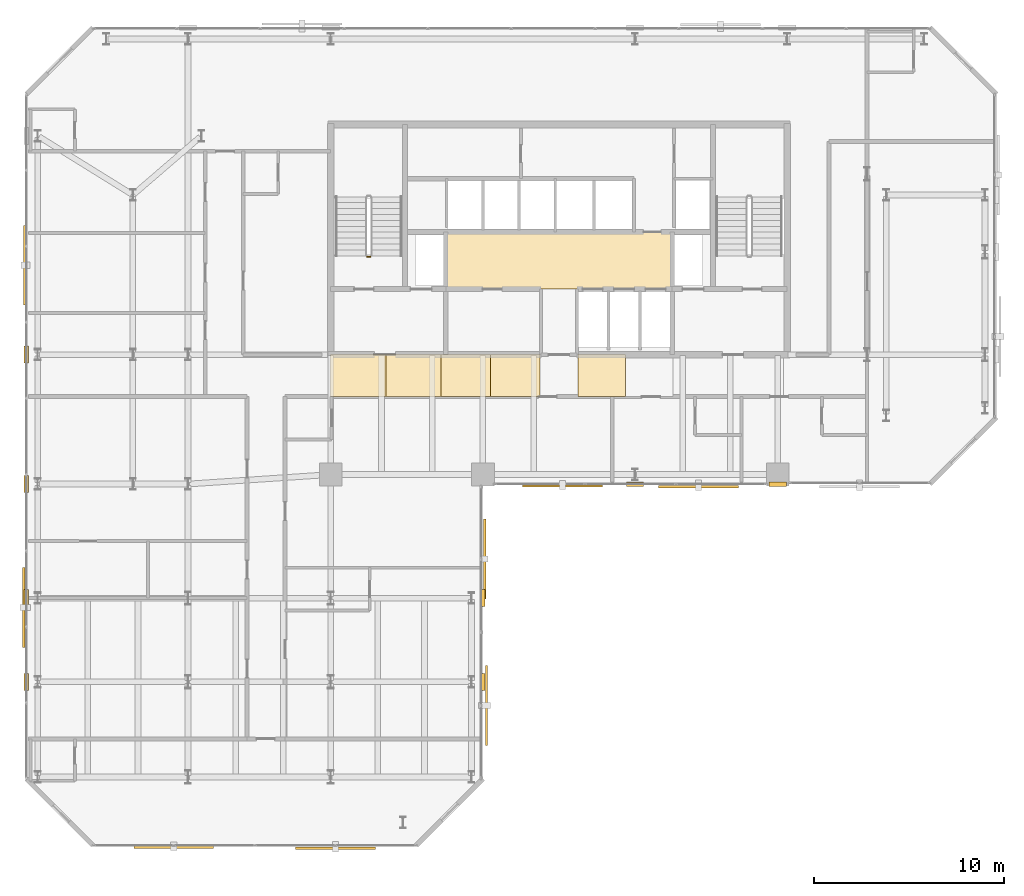
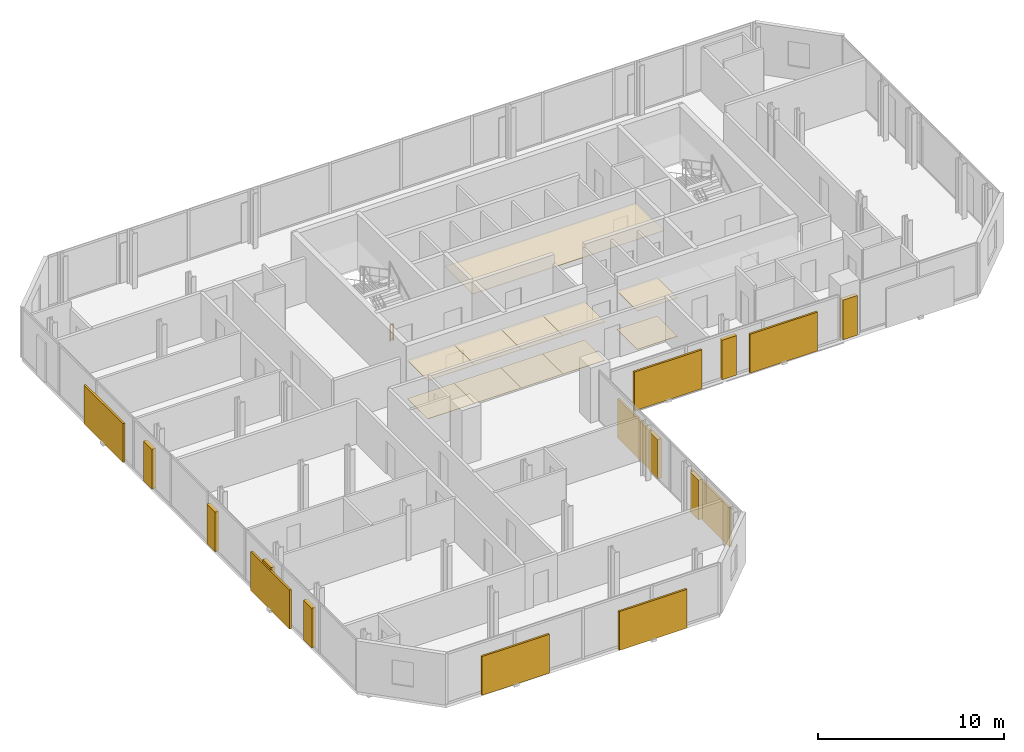
# One storey, part 31 of 33: 19 coverings, 8 shading devices, 1 railing.
"""IFC4 building model written with IfcOpenShell, lengths in metres."""

from ifc_helpers import new_model, si_unit, direction, frame, origin, origin_2d, place, context, subcontext, project, spatial, polyline, rectangle, circle, outline, extrude, material, layer, layer_set, type_object, element, save


model = new_model("IFC4")

# Units and contexts
model_context = context("Model", 3, precision=1e-05, world=origin(), true_north=direction((0.0, 1.0)))
body_context = subcontext(model_context, "Body", "Model", "MODEL_VIEW")
ifc_project = project(units=[si_unit("LENGTHUNIT", "METRE"), si_unit("AREAUNIT", "SQUARE_METRE"), si_unit("VOLUMEUNIT", "CUBIC_METRE"), si_unit("PLANEANGLEUNIT", "RADIAN"), si_unit("MASSUNIT", "GRAM", prefix="KILO")], contexts=[model_context])

# Site, building, storey
site_placement = place(None, origin())
site = spatial("IfcSite", under=ifc_project, at=site_placement, CompositionType="ELEMENT")
building_placement = place(site_placement, origin())
building = spatial("IfcBuilding", under=site, at=building_placement, Name="Catumbela Crestline Tower", CompositionType="ELEMENT")
storey_placement = place(building_placement, frame((0.0, 0.0, 118.8)))
storey = spatial("IfcBuildingStorey", under=building, at=storey_placement, Name="L30", CompositionType="ELEMENT", Elevation=118.8)

# Coverings
ifc_material_1 = material(Name="Mineral-fibre acoustic ceiling")
ifc_layer_1 = layer(ifc_material_1, 0.03, Name="Mineral-fibre acoustic ceiling")
ifc_layer_set_1 = layer_set([ifc_layer_1], Name="Mineral-fibre acoustic ceiling")
covering_type_1 = type_object("IfcCoveringType", Name="CC-AC", PredefinedType="CEILING", material=ifc_layer_set_1)
covering_1_placement = place(storey_placement, frame((0.0, 0.0, 2.65)))
element("IfcCovering", 1, at=covering_1_placement, inside=storey, type_object=covering_type_1, Name="L30 Lift Lobby Acoustic Ceiling", PredefinedType="CEILING", context=body_context, shape_type="SweptSolid", body=[
    extrude(outline(polyline([(22.05, 34.25), (33.95, 34.25), (33.95, 37.25), (22.05, 37.25), (22.05, 34.25)])), origin(), (0.0, 0.0, 1.0), 0.03),
])
covering_2_placement = place(storey_placement, frame((0.0, 0.0, 2.52)))
element("IfcCovering", 2, at=covering_2_placement, inside=storey, type_object=covering_type_1, Name="L30 Corridor Acoustic Ceiling Bay 1", PredefinedType="CEILING", context=body_context, shape_type="SweptSolid", body=[
    extrude(outline(polyline([(16.0, 28.6), (18.9, 28.6), (18.9, 30.8), (16.0, 30.8), (16.0, 28.6)])), origin(), (0.0, 0.0, 1.0), 0.03),
])
covering_3_placement = place(storey_placement, frame((0.0, 0.0, 2.52)))
element("IfcCovering", 3, at=covering_3_placement, inside=storey, type_object=covering_type_1, Name="L30 Corridor Acoustic Ceiling Bay 2", PredefinedType="CEILING", context=body_context, shape_type="SweptSolid", body=[
    extrude(outline(polyline([(18.9, 28.6), (21.8, 28.6), (21.8, 30.8), (18.9, 30.8), (18.9, 28.6)])), origin(), (0.0, 0.0, 1.0), 0.03),
])
covering_4_placement = place(storey_placement, frame((0.0, 0.0, 2.52)))
element("IfcCovering", 4, at=covering_4_placement, inside=storey, type_object=covering_type_1, Name="L30 Corridor Acoustic Ceiling Bay 3", PredefinedType="CEILING", context=body_context, shape_type="SweptSolid", body=[
    extrude(outline(polyline([(21.8, 28.6), (24.4, 28.6), (24.4, 30.8), (21.8, 30.8), (21.8, 28.6)])), origin(), (0.0, 0.0, 1.0), 0.03),
])
covering_5_placement = place(storey_placement, frame((0.0, 0.0, 2.52)))
element("IfcCovering", 5, at=covering_5_placement, inside=storey, type_object=covering_type_1, Name="L30 Corridor Acoustic Ceiling Bay 4", PredefinedType="CEILING", context=body_context, shape_type="SweptSolid", body=[
    extrude(outline(polyline([(24.4, 28.6), (27.0, 28.6), (27.0, 30.8), (24.4, 30.8), (24.4, 28.6)])), origin(), (0.0, 0.0, 1.0), 0.03),
])
covering_6_placement = place(storey_placement, frame((0.0, 0.0, 2.52)))
element("IfcCovering", 6, at=covering_6_placement, inside=storey, type_object=covering_type_1, Name="L30 Corridor Acoustic Ceiling Bay 5", PredefinedType="CEILING", context=body_context, shape_type="SweptSolid", body=[
    extrude(outline(polyline([(29.0, 28.6), (31.5, 28.6), (31.5, 30.8), (29.0, 30.8), (29.0, 28.6)])), origin(), (0.0, 0.0, 1.0), 0.03),
])
ifc_material_2 = material(Name="Extruded terracotta ceramic", Category="masonry")
ifc_layer_2 = layer(ifc_material_2, 0.08, Name="Extruded terracotta ceramic")
ifc_layer_set_2 = layer_set([ifc_layer_2], Name="Extruded terracotta ceramic")
covering_type_2 = type_object("IfcCoveringType", Name="CC-TER", PredefinedType="CLADDING", material=ifc_layer_set_2)
for number, where, z_axis, x_axis, name in (
    (7, (24.0, 13.6, 0.0), (0.0, 0.0, 1.0), (0.0, 1.0, 0.0), "L30 Fluted Terracotta Column Cladding 98"),
    (8, (24.0, 18.0, 0.0), (0.0, 0.0, 1.0), (0.0, 1.0, 0.0), "L30 Fluted Terracotta Column Cladding 99"),
    (9, (32.0, 24.0, 0.0), (0.0, 0.0, 1.0), (1.0, 0.0, 0.0), "L30 Fluted Terracotta Column Cladding 100"),
    (10, (39.5, 24.0, 0.0), (0.0, 0.0, 1.0), (1.0, 0.0, 0.0), "L30 Fluted Terracotta Column Cladding 101"),
    (11, (0.0, 24.0, 0.0), (0.0, 0.0, 1.0), (0.0, -1.0, 0.0), "L30 Fluted Terracotta Column Cladding 109"),
    (12, (0.0, 30.8, 0.0), (0.0, 0.0, 1.0), (0.0, -1.0, 0.0), "L30 Fluted Terracotta Column Cladding 110"),
    (13, (0.0, 13.6, 0.0), (0.0, 0.0, 1.0), (0.0, -1.0, 0.0), "L30 Fluted Terracotta Column Cladding 112"),
    (14, (0.0, 18.0, 0.0), (0.0, 0.0, 1.0), (0.0, -1.0, 0.0), "L30 Fluted Terracotta Column Cladding 113"),
):
    element("IfcCovering", number, at=place(storey_placement, frame(where, z_axis=z_axis, x_axis=x_axis)), inside=storey, type_object=covering_type_2, Name=name, PredefinedType="CLADDING", context=body_context, shape_type="SweptSolid", body=[
        extrude(rectangle(XDim=0.9, YDim=0.24, at=origin_2d()), origin(), (0.0, 0.0, 1.0), 2.6),
    ])
ifc_material_3 = material(Name="Angolan grey-ochre granite", Category="masonry")
ifc_layer_3 = layer(ifc_material_3, 0.025, Name="Angolan grey-ochre granite")
ifc_layer_set_3 = layer_set([ifc_layer_3], Name="Angolan grey-ochre granite")
covering_type_3 = type_object("IfcCoveringType", Name="CF-GR", PredefinedType="FLOORING", material=ifc_layer_set_3)
covering_7_placement = place(storey_placement, origin())
element("IfcCovering", 15, at=covering_7_placement, inside=storey, type_object=covering_type_3, Name="L30 Corridor Granite Flooring Bay 1", PredefinedType="FLOORING", context=body_context, shape_type="SweptSolid", body=[
    extrude(outline(polyline([(16.0, 28.6), (18.9, 28.6), (18.9, 30.8), (16.0, 30.8), (16.0, 28.6)])), origin(), (0.0, 0.0, 1.0), 0.025),
])
covering_8_placement = place(storey_placement, origin())
element("IfcCovering", 16, at=covering_8_placement, inside=storey, type_object=covering_type_3, Name="L30 Corridor Granite Flooring Bay 2", PredefinedType="FLOORING", context=body_context, shape_type="SweptSolid", body=[
    extrude(outline(polyline([(18.9, 28.6), (21.8, 28.6), (21.8, 30.8), (18.9, 30.8), (18.9, 28.6)])), origin(), (0.0, 0.0, 1.0), 0.025),
])
covering_9_placement = place(storey_placement, origin())
element("IfcCovering", 17, at=covering_9_placement, inside=storey, type_object=covering_type_3, Name="L30 Corridor Granite Flooring Bay 3", PredefinedType="FLOORING", context=body_context, shape_type="SweptSolid", body=[
    extrude(outline(polyline([(21.8, 28.6), (24.4, 28.6), (24.4, 30.8), (21.8, 30.8), (21.8, 28.6)])), origin(), (0.0, 0.0, 1.0), 0.025),
])
covering_10_placement = place(storey_placement, origin())
element("IfcCovering", 18, at=covering_10_placement, inside=storey, type_object=covering_type_3, Name="L30 Corridor Granite Flooring Bay 4", PredefinedType="FLOORING", context=body_context, shape_type="SweptSolid", body=[
    extrude(outline(polyline([(24.4, 28.6), (27.0, 28.6), (27.0, 30.8), (24.4, 30.8), (24.4, 28.6)])), origin(), (0.0, 0.0, 1.0), 0.025),
])
covering_11_placement = place(storey_placement, origin())
element("IfcCovering", 19, at=covering_11_placement, inside=storey, type_object=covering_type_3, Name="L30 Corridor Granite Flooring Bay 5", PredefinedType="FLOORING", context=body_context, shape_type="SweptSolid", body=[
    extrude(outline(polyline([(29.0, 28.6), (31.5, 28.6), (31.5, 30.8), (29.0, 30.8), (29.0, 28.6)])), origin(), (0.0, 0.0, 1.0), 0.025),
])

# Railing
ifc_material_4 = material(Name="Stainless steel EN 1.4401", Category="steel")
railing_type = type_object("IfcRailingType", Name="RG-1100", PredefinedType="GUARDRAIL", material=ifc_material_4)
railing_placement = place(storey_placement, frame((18.09, 35.95, 0.0)))
element("IfcRailing", 20, at=railing_placement, inside=storey, type_object=railing_type, Name="L30 ST-01 stair guard 4", PredefinedType="GUARDRAIL", context=body_context, shape_type="SweptSolid", body=[
    extrude(circle(Radius=0.024, at=origin_2d()), frame((0.0, 0.0, 1.076), z_axis=(-1.0, 0.0, 0.0), x_axis=(0.0, -1.0, 0.0)), (0.0, 0.0, 1.0), 0.18),
    extrude(circle(Radius=0.0156, at=origin_2d()), frame((0.0, 0.0, 0.55), z_axis=(-1.0, 0.0, 0.0), x_axis=(0.0, -1.0, 0.0)), (0.0, 0.0, 1.0), 0.18),
    extrude(circle(Radius=0.0156, at=origin_2d()), frame((0.0, 0.0, 0.12), z_axis=(-1.0, 0.0, 0.0), x_axis=(0.0, -1.0, 0.0)), (0.0, 0.0, 1.0), 0.18),
    extrude(circle(Radius=0.021, at=origin_2d()), origin(), (0.0, 0.0, 1.0), 1.052),
    extrude(circle(Radius=0.021, at=origin_2d()), frame((-0.18, 0.0, 0.0)), (0.0, 0.0, 1.0), 1.052),
])

# Shading devices
shading_device_type_1 = type_object("IfcShadingDeviceType", Name="ST-180", PredefinedType="USERDEFINED", material=ifc_material_2)
for number, where, z_axis, x_axis, name in (
    (21, (7.75, 4.901, -0.1), (0.0, 0.0, 1.0), (1.0, 0.0, 0.0), "L30 Perforated Terracotta Solar Screen 315 (180 mm)"),
    (22, (24.099, 20.05, -0.1), (0.0, 0.0, 1.0), (0.0, 1.0, 0.0), "L30 Perforated Terracotta Solar Screen 318 (180 mm)"),
    (23, (28.175, 23.901, -0.1), (0.0, 0.0, 1.0), (1.0, 0.0, 0.0), "L30 Perforated Terracotta Solar Screen 319 (180 mm)"),
    (24, (-0.099, 35.5, -0.1), (0.0, 0.0, 1.0), (0.0, -1.0, 0.0), "L30 Perforated Terracotta Solar Screen 326 (180 mm)"),
):
    element("IfcShadingDevice", number, at=place(storey_placement, frame(where, z_axis=z_axis, x_axis=x_axis)), inside=storey, type_object=shading_device_type_1, Name=name, ObjectType="SCREEN", PredefinedType="USERDEFINED", context=body_context, shape_type="SweptSolid", body=[
        extrude(rectangle(XDim=4.2, YDim=0.12, at=origin_2d()), origin(), (0.0, 0.0, 1.0), 2.55),
    ])
shading_device_type_2 = type_object("IfcShadingDeviceType", Name="ST-260", PredefinedType="USERDEFINED", material=ifc_material_2)
for number, where, z_axis, x_axis, name in (
    (25, (16.25, 4.857, -0.1), (0.0, 0.0, 1.0), (1.0, 0.0, 0.0), "L30 Perforated Terracotta Solar Screen 316 (260 mm)"),
    (26, (35.325, 23.857, -0.1), (0.0, 0.0, 1.0), (1.0, 0.0, 0.0), "L30 Perforated Terracotta Solar Screen 320 (260 mm)"),
    (27, (-0.143, 17.5, -0.1), (0.0, 0.0, 1.0), (0.0, -1.0, 0.0), "L30 Perforated Terracotta Solar Screen 327 (260 mm)"),
):
    element("IfcShadingDevice", number, at=place(storey_placement, frame(where, z_axis=z_axis, x_axis=x_axis)), inside=storey, type_object=shading_device_type_2, Name=name, ObjectType="SCREEN", PredefinedType="USERDEFINED", context=body_context, shape_type="SweptSolid", body=[
        extrude(rectangle(XDim=4.2, YDim=0.12, at=origin_2d()), origin(), (0.0, 0.0, 1.0), 2.55),
    ])
shading_device_type_3 = type_object("IfcShadingDeviceType", Name="ST-340", PredefinedType="USERDEFINED", material=ifc_material_2)
shading_device_placement = place(storey_placement, frame((24.187, 12.35, -0.1), z_axis=(0.0, 0.0, 1.0), x_axis=(0.0, 1.0, 0.0)))
element("IfcShadingDevice", 28, at=shading_device_placement, inside=storey, type_object=shading_device_type_3, Name="L30 Perforated Terracotta Solar Screen 317 (340 mm)", ObjectType="SCREEN", PredefinedType="USERDEFINED", context=body_context, shape_type="SweptSolid", body=[
    extrude(rectangle(XDim=4.2, YDim=0.12, at=origin_2d()), origin(), (0.0, 0.0, 1.0), 2.55),
])

save(model, "model.ifc")
